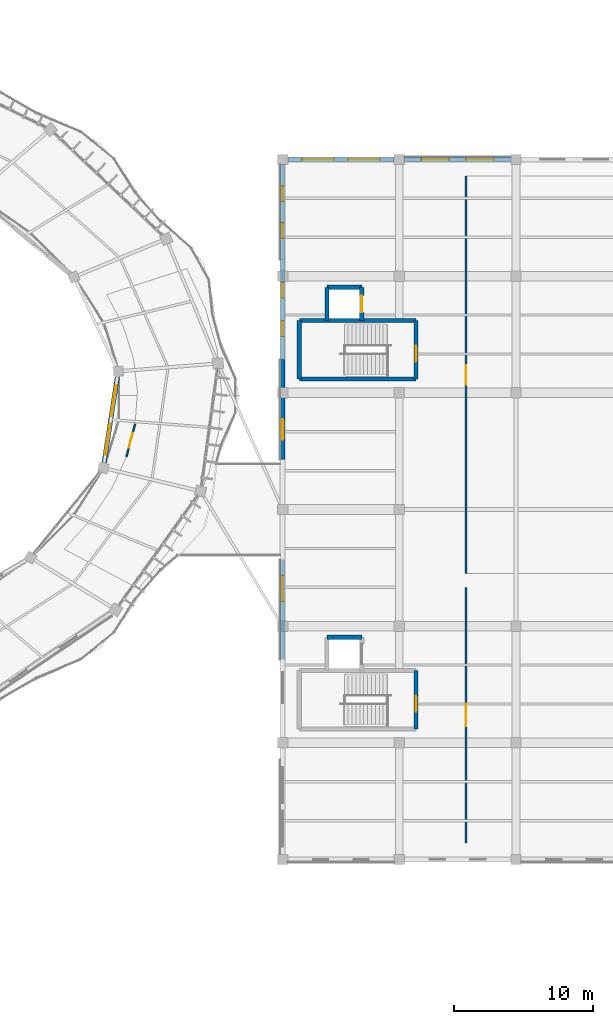
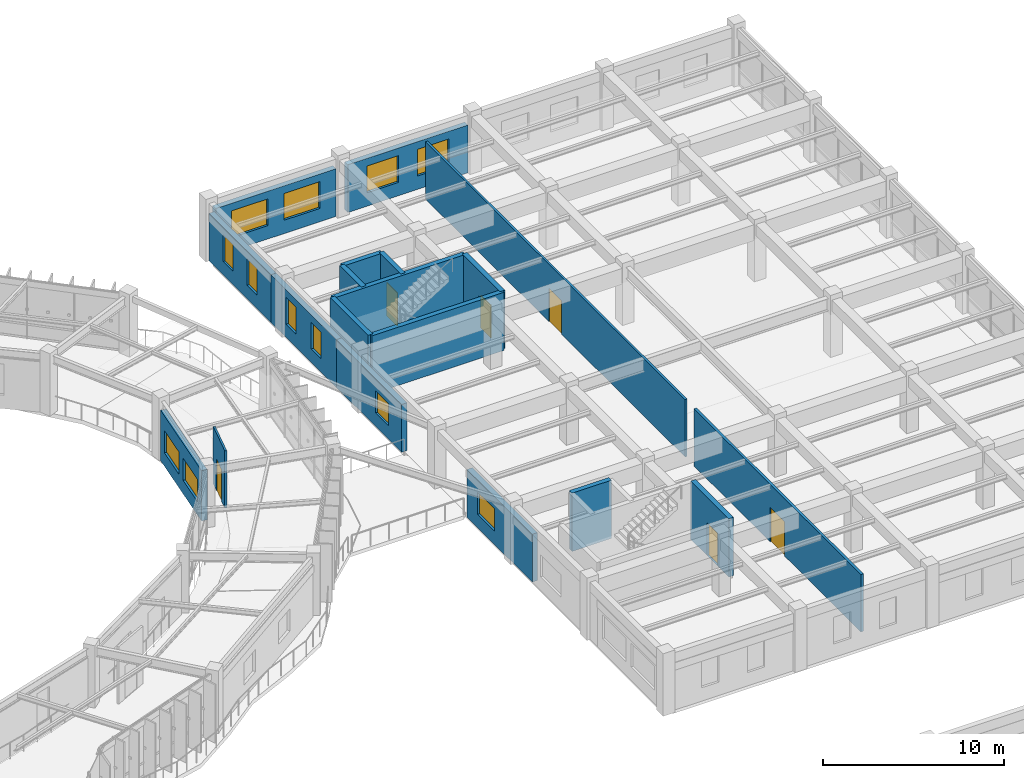
# One storey, part 128 of 152: 19 walls, 12 windows, 6 doors, 18 openings.
"""IFC4 building model written with IfcOpenShell, lengths in metres."""

from ifc_helpers import new_model, si_unit, direction, frame, frame_2d, origin, place, context, subcontext, project, spatial, rectangle, extrude, material, layer, layer_set, type_object, element, fill, save


model = new_model("IFC4")

# Units and contexts
model_context = context("Model", 3, precision=1e-05, world=origin(), true_north=direction((0.0, 1.0)))
body_context = subcontext(model_context, "Body", "Model", "MODEL_VIEW")
ifc_project = project(units=[si_unit("LENGTHUNIT", "METRE"), si_unit("AREAUNIT", "SQUARE_METRE"), si_unit("VOLUMEUNIT", "CUBIC_METRE"), si_unit("PLANEANGLEUNIT", "RADIAN"), si_unit("MASSUNIT", "GRAM", prefix="KILO"), si_unit("THERMODYNAMICTEMPERATUREUNIT", "KELVIN"), si_unit("POWERUNIT", "WATT")], contexts=[model_context])

# Site, building, storey
site_placement = place(None, origin())
site = spatial("IfcSite", under=ifc_project, at=site_placement, CompositionType="ELEMENT")
building_placement = place(site_placement, origin())
building = spatial("IfcBuilding", under=site, at=building_placement, Name="Darbajah Civic Hall", CompositionType="ELEMENT")
storey_placement = place(building_placement, frame((0.0, 0.0, 5.39990234375)))
storey = spatial("IfcBuildingStorey", under=building, at=storey_placement, Name="L01", CompositionType="ELEMENT", Elevation=5.39990234375)

# Wall
ifc_material_1 = material(Name="Concrete C45/55", Category="concrete")
ifc_layer_1 = layer(ifc_material_1, 0.300048828125, Name="Concrete C45/55")
ifc_layer_set_1 = layer_set([ifc_layer_1], Name="Concrete C45/55")
wall_type_1 = type_object("IfcWallType", Name="Core Shear Wall 300mm", PredefinedType="SHEAR", material=ifc_layer_set_1)
wall_1_placement = place(storey_placement, frame((145.800048828125, 91.0, 0.0), z_axis=(0.0, 0.0, 1.0), x_axis=(1.0, 0.0, 0.0)))
element("IfcWall", 1, at=wall_1_placement, inside=storey, type_object=wall_type_1, Name="L01 core C08 shear wall S", PredefinedType="SHEAR", context=body_context, shape_type="SweptSolid", body=[
    extrude(rectangle(XDim=8.39990234375, YDim=0.300048828125, at=frame_2d((4.199951171875, 0.0))), origin(), (0.0, 0.0, 1.0), 3.920166015625),
])

# Wall, opening, door
wall_2_placement = place(storey_placement, frame((154.199951171875, 91.0, 0.0), z_axis=(0.0, 0.0, 1.0), x_axis=(0.0, 1.0, 0.0)))
wall_2 = element("IfcWall", 2, at=wall_2_placement, inside=storey, type_object=wall_type_1, Name="L01 core C08 shear wall E", PredefinedType="SHEAR", context=body_context, shape_type="SweptSolid", body=[
    extrude(rectangle(XDim=4.199951171875, YDim=0.300048828125, at=frame_2d((2.10009765625, 0.0))), origin(), (0.0, 0.0, 1.0), 3.920166015625),
])
opening_1_placement = place(wall_2_placement, frame((1.25, 0.0, 0.0)))
opening_1 = element("IfcOpeningElement", 3, at=opening_1_placement, cuts=wall_2, Name="Opening SD-0090", PredefinedType="OPENING", context=body_context, shape_type="SweptSolid", body=[
    extrude(rectangle(XDim=1.14990234375, YDim=2.199951171875, at=frame_2d((0.574951171875, 1.10009765625))), frame((0.0, 0.159912109375, 0.0), z_axis=(0.0, -1.0, 0.0), x_axis=(1.0, 0.0, 0.0)), (0.0, 0.0, 1.0), 0.320068359375),
])
ifc_material_2 = material(Name="Steel Rated Core Door", Category="steel")
door_type_1 = type_object("IfcDoorType", Name="Interior Door 1150x2200", OperationType="NOTDEFINED", PredefinedType="DOOR", material=ifc_material_2)
door_1_placement = place(opening_1_placement, origin())
door_1 = element("IfcDoor", 4, at=door_1_placement, inside=storey, type_object=door_type_1, Name="L01 stair ST08 fire door SD-0090", OperationType="SINGLE_SWING_LEFT", OverallHeight=2.199951171875, OverallWidth=1.14990234375, PredefinedType="DOOR", context=body_context, shape_type="SweptSolid", body=[
    extrude(rectangle(XDim=1.14990234375, YDim=2.199951171875, at=frame_2d((0.574951171875, 1.10009765625))), frame((0.0, 0.02490234375, 0.0), z_axis=(0.0, -1.0, 0.0), x_axis=(1.0, 0.0, 0.0)), (0.0, 0.0, 1.0), 0.050048828125),
])
fill(opening_1, door_1)

# Walls
wall_3_placement = place(storey_placement, frame((154.199951171875, 95.199951171875, 0.0), z_axis=(0.0, 0.0, 1.0), x_axis=(-1.0, 0.0, 0.0)))
element("IfcWall", 5, at=wall_3_placement, inside=storey, type_object=wall_type_1, Name="L01 core C08 shear wall N", PredefinedType="SHEAR", context=body_context, shape_type="SweptSolid", body=[
    extrude(rectangle(XDim=8.39990234375, YDim=0.300048828125, at=frame_2d((4.199951171875, 0.0))), origin(), (0.0, 0.0, 1.0), 3.920166015625),
])
wall_4_placement = place(storey_placement, frame((145.800048828125, 95.199951171875, 0.0), z_axis=(0.0, 0.0, 1.0), x_axis=(0.0, -1.0, 0.0)))
element("IfcWall", 6, at=wall_4_placement, inside=storey, type_object=wall_type_1, Name="L01 core C08 shear wall W", PredefinedType="SHEAR", context=body_context, shape_type="SweptSolid", body=[
    extrude(rectangle(XDim=4.199951171875, YDim=0.300048828125, at=frame_2d((2.10009765625, 0.0))), origin(), (0.0, 0.0, 1.0), 3.920166015625),
])
wall_5_placement = place(storey_placement, frame((150.300048828125, 97.60009765625, 0.0), z_axis=(0.0, 0.0, 1.0), x_axis=(-1.0, 0.0, 0.0)))
element("IfcWall", 7, at=wall_5_placement, inside=storey, type_object=wall_type_1, Name="L01 lift PL4 shaft wall N", PredefinedType="SHEAR", context=body_context, shape_type="SweptSolid", body=[
    extrude(rectangle(XDim=2.5, YDim=0.300048828125, at=frame_2d((1.25, 0.0))), origin(), (0.0, 0.0, 1.0), 3.920166015625),
])
wall_6_placement = place(storey_placement, frame((147.800048828125, 97.60009765625, 0.0), z_axis=(0.0, 0.0, 1.0), x_axis=(0.0, -1.0, 0.0)))
element("IfcWall", 8, at=wall_6_placement, inside=storey, type_object=wall_type_1, Name="L01 lift PL4 shaft wall W", PredefinedType="SHEAR", context=body_context, shape_type="SweptSolid", body=[
    extrude(rectangle(XDim=2.400146484375, YDim=0.300048828125, at=frame_2d((1.2001953125, 0.0))), origin(), (0.0, 0.0, 1.0), 3.920166015625),
])

# Wall, opening, door
wall_7_placement = place(storey_placement, frame((150.300048828125, 95.199951171875, 0.0), z_axis=(0.0, 0.0, 1.0), x_axis=(0.0, 1.0, 0.0)))
wall_7 = element("IfcWall", 9, at=wall_7_placement, inside=storey, type_object=wall_type_1, Name="L01 lift PL4 shaft wall E", PredefinedType="SHEAR", context=body_context, shape_type="SweptSolid", body=[
    extrude(rectangle(XDim=2.400146484375, YDim=0.300048828125, at=frame_2d((1.2001953125, 0.0))), origin(), (0.0, 0.0, 1.0), 3.920166015625),
])
opening_2_placement = place(wall_7_placement, frame((0.60009765625, 0.0, 0.0)))
opening_2 = element("IfcOpeningElement", 10, at=opening_2_placement, cuts=wall_7, Name="Opening LD-0095", PredefinedType="OPENING", context=body_context, shape_type="SweptSolid", body=[
    extrude(rectangle(XDim=1.199951171875, YDim=2.25, at=frame_2d((0.60009765625, 1.125))), frame((0.0, 0.159912109375, 0.0), z_axis=(0.0, -1.0, 0.0), x_axis=(1.0, 0.0, 0.0)), (0.0, 0.0, 1.0), 0.320068359375),
])
ifc_material_3 = material(Name="Stainless Lift Landing Door")
door_type_2 = type_object("IfcDoorType", Name="Lift Landing Door 1200x2250", OperationType="SLIDING_TO_LEFT", PredefinedType="DOOR", material=ifc_material_3)
door_2_placement = place(opening_2_placement, origin())
door_2 = element("IfcDoor", 11, at=door_2_placement, inside=storey, type_object=door_type_2, Name="L01 lift PL4 landing door LD-0095", OperationType="SLIDING_TO_LEFT", OverallHeight=2.25, OverallWidth=1.199951171875, PredefinedType="DOOR", context=body_context, shape_type="SweptSolid", body=[
    extrude(rectangle(XDim=1.199951171875, YDim=2.25, at=frame_2d((0.60009765625, 1.125))), frame((0.0, 0.02490234375, 0.0), z_axis=(0.0, -1.0, 0.0), x_axis=(1.0, 0.0, 0.0)), (0.0, 0.0, 1.0), 0.050048828125),
])
fill(opening_2, door_2)

wall_8_placement = place(storey_placement, frame((154.199951171875, 65.800048828125, 0.0), z_axis=(0.0, 0.0, 1.0), x_axis=(0.0, 1.0, 0.0)))
wall_8 = element("IfcWall", 12, at=wall_8_placement, inside=storey, type_object=wall_type_1, Name="L01 core C09 shear wall E", PredefinedType="SHEAR", context=body_context, shape_type="SweptSolid", body=[
    extrude(rectangle(XDim=4.199951171875, YDim=0.300048828125, at=frame_2d((2.10009765625, 0.0))), origin(), (0.0, 0.0, 1.0), 3.920166015625),
])
opening_3_placement = place(wall_8_placement, frame((1.25, 0.0, 0.0)))
opening_3 = element("IfcOpeningElement", 13, at=opening_3_placement, cuts=wall_8, Name="Opening SD-0100", PredefinedType="OPENING", context=body_context, shape_type="SweptSolid", body=[
    extrude(rectangle(XDim=1.14990234375, YDim=2.199951171875, at=frame_2d((0.574951171875, 1.10009765625))), frame((0.0, 0.159912109375, 0.0), z_axis=(0.0, -1.0, 0.0), x_axis=(1.0, 0.0, 0.0)), (0.0, 0.0, 1.0), 0.320068359375),
])
door_3_placement = place(opening_3_placement, origin())
door_3 = element("IfcDoor", 14, at=door_3_placement, inside=storey, type_object=door_type_1, Name="L01 stair ST09 fire door SD-0100", OperationType="SINGLE_SWING_LEFT", OverallHeight=2.199951171875, OverallWidth=1.14990234375, PredefinedType="DOOR", context=body_context, shape_type="SweptSolid", body=[
    extrude(rectangle(XDim=1.14990234375, YDim=2.199951171875, at=frame_2d((0.574951171875, 1.10009765625))), frame((0.0, 0.02490234375, 0.0), z_axis=(0.0, -1.0, 0.0), x_axis=(1.0, 0.0, 0.0)), (0.0, 0.0, 1.0), 0.050048828125),
])
fill(opening_3, door_3)

# Wall
wall_9_placement = place(storey_placement, frame((150.300048828125, 72.39990234375, 0.0), z_axis=(0.0, 0.0, 1.0), x_axis=(-1.0, 0.0, 0.0)))
element("IfcWall", 15, at=wall_9_placement, inside=storey, type_object=wall_type_1, Name="L01 lift BL1 shaft wall N", PredefinedType="SHEAR", context=body_context, shape_type="SweptSolid", body=[
    extrude(rectangle(XDim=2.5, YDim=0.300048828125, at=frame_2d((1.25, 0.0))), origin(), (0.0, 0.0, 1.0), 3.920166015625),
])

# Wall, openings, windows
ifc_material_4 = material(Name="Qatari Desert Limestone Ashlar", Category="masonry")
ifc_layer_2 = layer(ifc_material_4, 0.340087890625, Name="Qatari Desert Limestone Ashlar")
ifc_layer_set_2 = layer_set([ifc_layer_2], Name="Qatari Desert Limestone Ashlar")
wall_type_2 = type_object("IfcWallType", Name="Exterior Wall 340mm", PredefinedType="SOLIDWALL", material=ifc_layer_set_2)
wall_10_placement = place(storey_placement, frame((131.747802734375, 84.96923828125, 0.0), z_axis=(0.0, 0.0, 1.0), x_axis=(0.152775024672, 0.988260993785, 0.0)))
wall_10 = element("IfcWall", 16, at=wall_10_placement, inside=storey, type_object=wall_type_2, Name="L01 exterior wall EW-340", PredefinedType="SOLIDWALL", context=body_context, shape_type="SweptSolid", body=[
    extrude(rectangle(XDim=6.235595703125, YDim=0.340087890625, at=frame_2d((3.11767578125, 0.0))), origin(), (0.0, 0.0, 1.0), 3.386962890625),
])
opening_4_placement = place(wall_10_placement, frame((0.57861328125, 0.0, 0.89990234375)))
opening_4 = element("IfcOpeningElement", 17, at=opening_4_placement, cuts=wall_10, Name="Opening WN-27", PredefinedType="OPENING", context=body_context, shape_type="SweptSolid", body=[
    extrude(rectangle(XDim=2.25, YDim=1.5, at=frame_2d((1.125, 0.75))), frame((0.0, 0.179931640625, 0.0), z_axis=(0.0, -1.0, 0.0), x_axis=(1.0, 0.0, 0.0)), (0.0, 0.0, 1.0), 0.360107421875),
])
opening_5_placement = place(wall_10_placement, frame((3.406982421875, 0.0, 0.89990234375)))
opening_5 = element("IfcOpeningElement", 18, at=opening_5_placement, cuts=wall_10, Name="Opening WN-27", PredefinedType="OPENING", context=body_context, shape_type="SweptSolid", body=[
    extrude(rectangle(XDim=2.25, YDim=1.5, at=frame_2d((1.125, 0.75))), frame((0.0, 0.179931640625, 0.0), z_axis=(0.0, -1.0, 0.0), x_axis=(1.0, 0.0, 0.0)), (0.0, 0.0, 1.0), 0.360107421875),
])
ifc_material_5 = material(Name="Low-E Solar Control Double Glazing", Category="glass")
window_type_1 = type_object("IfcWindowType", Name="Facade Window 2250x1500", PartitioningType="DOUBLE_PANEL_VERTICAL", PredefinedType="WINDOW", material=ifc_material_5)
window_1_placement = place(opening_4_placement, origin())
window_1 = element("IfcWindow", 19, at=window_1_placement, inside=storey, type_object=window_type_1, Name="L01 facade window WN-27", OverallHeight=1.5, OverallWidth=2.25, PartitioningType="SINGLE_PANEL", PredefinedType="WINDOW", context=body_context, shape_type="SweptSolid", body=[
    extrude(rectangle(XDim=2.25, YDim=1.5, at=frame_2d((1.125, 0.75))), frame((0.0, 0.030029296875, 0.0), z_axis=(0.0, -1.0, 0.0), x_axis=(1.0, 0.0, 0.0)), (0.0, 0.0, 1.0), 0.06005859375),
])
fill(opening_4, window_1)
window_2_placement = place(opening_5_placement, origin())
window_2 = element("IfcWindow", 20, at=window_2_placement, inside=storey, type_object=window_type_1, Name="L01 facade window WN-27", OverallHeight=1.5, OverallWidth=2.25, PartitioningType="SINGLE_PANEL", PredefinedType="WINDOW", context=body_context, shape_type="SweptSolid", body=[
    extrude(rectangle(XDim=2.25, YDim=1.5, at=frame_2d((1.125, 0.75))), frame((0.0, 0.030029296875, 0.0), z_axis=(0.0, -1.0, 0.0), x_axis=(1.0, 0.0, 0.0)), (0.0, 0.0, 1.0), 0.06005859375),
])
fill(opening_5, window_2)

wall_11_placement = place(storey_placement, frame((161.02294921875, 106.800048828125, 0.0), z_axis=(0.0, 0.0, 1.0), x_axis=(-1.0, 0.0, 0.0)))
wall_11 = element("IfcWall", 21, at=wall_11_placement, inside=storey, type_object=wall_type_2, Name="L01 exterior wall EW-340", PredefinedType="SOLIDWALL", context=body_context, shape_type="SweptSolid", body=[
    extrude(rectangle(XDim=7.64599609375, YDim=0.340087890625, at=frame_2d((3.822998046875, 0.0))), origin(), (0.0, 0.0, 1.0), 3.210205078125),
])
opening_6_placement = place(wall_11_placement, frame((1.21533203125, 0.0, 0.89990234375)))
opening_6 = element("IfcOpeningElement", 22, at=opening_6_placement, cuts=wall_11, Name="Opening WN-21", PredefinedType="OPENING", context=body_context, shape_type="SweptSolid", body=[
    extrude(rectangle(XDim=2.0, YDim=1.800048828125, at=frame_2d((1.0, 0.89990234375))), frame((0.0, 0.179931640625, 0.0), z_axis=(0.0, -1.0, 0.0), x_axis=(1.0, 0.0, 0.0)), (0.0, 0.0, 1.0), 0.360107421875),
])
opening_7_placement = place(wall_11_placement, frame((4.4306640625, 0.0, 0.89990234375)))
opening_7 = element("IfcOpeningElement", 23, at=opening_7_placement, cuts=wall_11, Name="Opening WN-21", PredefinedType="OPENING", context=body_context, shape_type="SweptSolid", body=[
    extrude(rectangle(XDim=2.0, YDim=1.800048828125, at=frame_2d((1.0, 0.89990234375))), frame((0.0, 0.179931640625, 0.0), z_axis=(0.0, -1.0, 0.0), x_axis=(1.0, 0.0, 0.0)), (0.0, 0.0, 1.0), 0.360107421875),
])
window_type_2 = type_object("IfcWindowType", Name="Facade Window 2000x1800", PartitioningType="DOUBLE_PANEL_VERTICAL", PredefinedType="WINDOW", material=ifc_material_5)
window_3_placement = place(opening_6_placement, origin())
window_3 = element("IfcWindow", 24, at=window_3_placement, inside=storey, type_object=window_type_2, Name="L01 facade window WN-21", OverallHeight=1.800048828125, OverallWidth=2.0, PartitioningType="SINGLE_PANEL", PredefinedType="WINDOW", context=body_context, shape_type="SweptSolid", body=[
    extrude(rectangle(XDim=2.0, YDim=1.800048828125, at=frame_2d((1.0, 0.89990234375))), frame((0.0, 0.030029296875, 0.0), z_axis=(0.0, -1.0, 0.0), x_axis=(1.0, 0.0, 0.0)), (0.0, 0.0, 1.0), 0.06005859375),
])
fill(opening_6, window_3)
window_4_placement = place(opening_7_placement, origin())
window_4 = element("IfcWindow", 25, at=window_4_placement, inside=storey, type_object=window_type_2, Name="L01 facade window WN-21", OverallHeight=1.800048828125, OverallWidth=2.0, PartitioningType="SINGLE_PANEL", PredefinedType="WINDOW", context=body_context, shape_type="SweptSolid", body=[
    extrude(rectangle(XDim=2.0, YDim=1.800048828125, at=frame_2d((1.0, 0.89990234375))), frame((0.0, 0.030029296875, 0.0), z_axis=(0.0, -1.0, 0.0), x_axis=(1.0, 0.0, 0.0)), (0.0, 0.0, 1.0), 0.06005859375),
])
fill(opening_7, window_4)

wall_12_placement = place(storey_placement, frame((152.623046875, 106.800048828125, 0.0), z_axis=(0.0, 0.0, 1.0), x_axis=(-1.0, 0.0, 0.0)))
wall_12 = element("IfcWall", 26, at=wall_12_placement, inside=storey, type_object=wall_type_2, Name="L01 exterior wall EW-340", PredefinedType="SOLIDWALL", context=body_context, shape_type="SweptSolid", body=[
    extrude(rectangle(XDim=7.64599609375, YDim=0.340087890625, at=frame_2d((3.822998046875, 0.0))), origin(), (0.0, 0.0, 1.0), 3.210205078125),
])
opening_8_placement = place(wall_12_placement, frame((1.015380859375, 0.0, 0.89990234375)))
opening_8 = element("IfcOpeningElement", 27, at=opening_8_placement, cuts=wall_12, Name="Opening WN-22", PredefinedType="OPENING", context=body_context, shape_type="SweptSolid", body=[
    extrude(rectangle(XDim=2.300048828125, YDim=1.800048828125, at=frame_2d((1.14990234375, 0.89990234375))), frame((0.0, 0.179931640625, 0.0), z_axis=(0.0, -1.0, 0.0), x_axis=(1.0, 0.0, 0.0)), (0.0, 0.0, 1.0), 0.360107421875),
])
opening_9_placement = place(wall_12_placement, frame((4.330810546875, 0.0, 0.89990234375)))
opening_9 = element("IfcOpeningElement", 28, at=opening_9_placement, cuts=wall_12, Name="Opening WN-22", PredefinedType="OPENING", context=body_context, shape_type="SweptSolid", body=[
    extrude(rectangle(XDim=2.300048828125, YDim=1.800048828125, at=frame_2d((1.14990234375, 0.89990234375))), frame((0.0, 0.179931640625, 0.0), z_axis=(0.0, -1.0, 0.0), x_axis=(1.0, 0.0, 0.0)), (0.0, 0.0, 1.0), 0.360107421875),
])
window_type_3 = type_object("IfcWindowType", Name="Facade Window 2300x1800", PartitioningType="DOUBLE_PANEL_VERTICAL", PredefinedType="WINDOW", material=ifc_material_5)
window_5_placement = place(opening_8_placement, origin())
window_5 = element("IfcWindow", 29, at=window_5_placement, inside=storey, type_object=window_type_3, Name="L01 facade window WN-22", OverallHeight=1.800048828125, OverallWidth=2.300048828125, PartitioningType="SINGLE_PANEL", PredefinedType="WINDOW", context=body_context, shape_type="SweptSolid", body=[
    extrude(rectangle(XDim=2.300048828125, YDim=1.800048828125, at=frame_2d((1.14990234375, 0.89990234375))), frame((0.0, 0.030029296875, 0.0), z_axis=(0.0, -1.0, 0.0), x_axis=(1.0, 0.0, 0.0)), (0.0, 0.0, 1.0), 0.06005859375),
])
fill(opening_8, window_5)
window_6_placement = place(opening_9_placement, origin())
window_6 = element("IfcWindow", 30, at=window_6_placement, inside=storey, type_object=window_type_3, Name="L01 facade window WN-22", OverallHeight=1.800048828125, OverallWidth=2.300048828125, PartitioningType="SINGLE_PANEL", PredefinedType="WINDOW", context=body_context, shape_type="SweptSolid", body=[
    extrude(rectangle(XDim=2.300048828125, YDim=1.800048828125, at=frame_2d((1.14990234375, 0.89990234375))), frame((0.0, 0.030029296875, 0.0), z_axis=(0.0, -1.0, 0.0), x_axis=(1.0, 0.0, 0.0)), (0.0, 0.0, 1.0), 0.06005859375),
])
fill(opening_9, window_6)

wall_13_placement = place(storey_placement, frame((144.60009765625, 106.423095703125, 0.0), z_axis=(0.0, 0.0, 1.0), x_axis=(0.0, -1.0, 0.0)))
wall_13 = element("IfcWall", 31, at=wall_13_placement, inside=storey, type_object=wall_type_2, Name="L01 exterior wall EW-340", PredefinedType="SOLIDWALL", context=body_context, shape_type="SweptSolid", body=[
    extrude(rectangle(XDim=6.822998046875, YDim=0.340087890625, at=frame_2d((3.41162109375, 0.0))), origin(), (0.0, 0.0, 1.0), 3.210205078125),
])
opening_10_placement = place(wall_13_placement, frame((1.541015625, 0.0, 0.89990234375)))
opening_10 = element("IfcOpeningElement", 32, at=opening_10_placement, cuts=wall_13, Name="Opening WN-17", PredefinedType="OPENING", context=body_context, shape_type="SweptSolid", body=[
    extrude(rectangle(XDim=1.10009765625, YDim=1.800048828125, at=frame_2d((0.550048828125, 0.89990234375))), frame((0.0, 0.179931640625, 0.0), z_axis=(0.0, -1.0, 0.0), x_axis=(1.0, 0.0, 0.0)), (0.0, 0.0, 1.0), 0.360107421875),
])
opening_11_placement = place(wall_13_placement, frame((4.181884765625, 0.0, 0.89990234375)))
opening_11 = element("IfcOpeningElement", 33, at=opening_11_placement, cuts=wall_13, Name="Opening WN-17", PredefinedType="OPENING", context=body_context, shape_type="SweptSolid", body=[
    extrude(rectangle(XDim=1.10009765625, YDim=1.800048828125, at=frame_2d((0.550048828125, 0.89990234375))), frame((0.0, 0.179931640625, 0.0), z_axis=(0.0, -1.0, 0.0), x_axis=(1.0, 0.0, 0.0)), (0.0, 0.0, 1.0), 0.360107421875),
])
window_type_4 = type_object("IfcWindowType", Name="Facade Window 1100x1800", PartitioningType="SINGLE_PANEL", PredefinedType="WINDOW", material=ifc_material_5)
window_7_placement = place(opening_10_placement, origin())
window_7 = element("IfcWindow", 34, at=window_7_placement, inside=storey, type_object=window_type_4, Name="L01 facade window WN-17", OverallHeight=1.800048828125, OverallWidth=1.10009765625, PartitioningType="SINGLE_PANEL", PredefinedType="WINDOW", context=body_context, shape_type="SweptSolid", body=[
    extrude(rectangle(XDim=1.10009765625, YDim=1.800048828125, at=frame_2d((0.550048828125, 0.89990234375))), frame((0.0, 0.030029296875, 0.0), z_axis=(0.0, -1.0, 0.0), x_axis=(1.0, 0.0, 0.0)), (0.0, 0.0, 1.0), 0.06005859375),
])
fill(opening_10, window_7)
window_8_placement = place(opening_11_placement, origin())
window_8 = element("IfcWindow", 35, at=window_8_placement, inside=storey, type_object=window_type_4, Name="L01 facade window WN-17", OverallHeight=1.800048828125, OverallWidth=1.10009765625, PartitioningType="SINGLE_PANEL", PredefinedType="WINDOW", context=body_context, shape_type="SweptSolid", body=[
    extrude(rectangle(XDim=1.10009765625, YDim=1.800048828125, at=frame_2d((0.550048828125, 0.89990234375))), frame((0.0, 0.030029296875, 0.0), z_axis=(0.0, -1.0, 0.0), x_axis=(1.0, 0.0, 0.0)), (0.0, 0.0, 1.0), 0.06005859375),
])
fill(opening_11, window_8)

wall_14_placement = place(storey_placement, frame((144.60009765625, 99.60009765625, 0.0), z_axis=(0.0, 0.0, 1.0), x_axis=(0.0, -1.0, 0.0)))
wall_14 = element("IfcWall", 36, at=wall_14_placement, inside=storey, type_object=wall_type_2, Name="L01 exterior wall EW-340", PredefinedType="SOLIDWALL", context=body_context, shape_type="SweptSolid", body=[
    extrude(rectangle(XDim=7.2001953125, YDim=0.340087890625, at=frame_2d((3.60009765625, 0.0))), origin(), (0.0, 0.0, 1.0), 3.210205078125),
])
opening_12_placement = place(wall_14_placement, frame((1.666748046875, 0.0, 0.89990234375)))
opening_12 = element("IfcOpeningElement", 37, at=opening_12_placement, cuts=wall_14, Name="Opening WN-17", PredefinedType="OPENING", context=body_context, shape_type="SweptSolid", body=[
    extrude(rectangle(XDim=1.10009765625, YDim=1.800048828125, at=frame_2d((0.550048828125, 0.89990234375))), frame((0.0, 0.179931640625, 0.0), z_axis=(0.0, -1.0, 0.0), x_axis=(1.0, 0.0, 0.0)), (0.0, 0.0, 1.0), 0.360107421875),
])
opening_13_placement = place(wall_14_placement, frame((4.433349609375, 0.0, 0.89990234375)))
opening_13 = element("IfcOpeningElement", 38, at=opening_13_placement, cuts=wall_14, Name="Opening WN-17", PredefinedType="OPENING", context=body_context, shape_type="SweptSolid", body=[
    extrude(rectangle(XDim=1.10009765625, YDim=1.800048828125, at=frame_2d((0.550048828125, 0.89990234375))), frame((0.0, 0.179931640625, 0.0), z_axis=(0.0, -1.0, 0.0), x_axis=(1.0, 0.0, 0.0)), (0.0, 0.0, 1.0), 0.360107421875),
])
window_9_placement = place(opening_12_placement, origin())
window_9 = element("IfcWindow", 39, at=window_9_placement, inside=storey, type_object=window_type_4, Name="L01 facade window WN-17", OverallHeight=1.800048828125, OverallWidth=1.10009765625, PartitioningType="SINGLE_PANEL", PredefinedType="WINDOW", context=body_context, shape_type="SweptSolid", body=[
    extrude(rectangle(XDim=1.10009765625, YDim=1.800048828125, at=frame_2d((0.550048828125, 0.89990234375))), frame((0.0, 0.030029296875, 0.0), z_axis=(0.0, -1.0, 0.0), x_axis=(1.0, 0.0, 0.0)), (0.0, 0.0, 1.0), 0.06005859375),
])
fill(opening_12, window_9)
window_10_placement = place(opening_13_placement, origin())
window_10 = element("IfcWindow", 40, at=window_10_placement, inside=storey, type_object=window_type_4, Name="L01 facade window WN-17", OverallHeight=1.800048828125, OverallWidth=1.10009765625, PartitioningType="SINGLE_PANEL", PredefinedType="WINDOW", context=body_context, shape_type="SweptSolid", body=[
    extrude(rectangle(XDim=1.10009765625, YDim=1.800048828125, at=frame_2d((0.550048828125, 0.89990234375))), frame((0.0, 0.030029296875, 0.0), z_axis=(0.0, -1.0, 0.0), x_axis=(1.0, 0.0, 0.0)), (0.0, 0.0, 1.0), 0.06005859375),
])
fill(opening_13, window_10)

# Wall, opening, window
wall_15_placement = place(storey_placement, frame((144.60009765625, 92.39990234375, 0.0), z_axis=(0.0, 0.0, 1.0), x_axis=(0.0, -1.0, 0.0)))
wall_15 = element("IfcWall", 41, at=wall_15_placement, inside=storey, type_object=wall_type_2, Name="L01 exterior wall EW-340", PredefinedType="SOLIDWALL", context=body_context, shape_type="SweptSolid", body=[
    extrude(rectangle(XDim=7.199951171875, YDim=0.340087890625, at=frame_2d((3.60009765625, 0.0))), origin(), (0.0, 0.0, 1.0), 3.210205078125),
])
opening_14_placement = place(wall_15_placement, frame((4.316650390625, 0.0, 0.89990234375)))
opening_14 = element("IfcOpeningElement", 42, at=opening_14_placement, cuts=wall_15, Name="Opening WN-25", PredefinedType="OPENING", context=body_context, shape_type="SweptSolid", body=[
    extrude(rectangle(XDim=1.449951171875, YDim=1.5, at=frame_2d((0.72509765625, 0.75))), frame((0.0, 0.179931640625, 0.0), z_axis=(0.0, -1.0, 0.0), x_axis=(1.0, 0.0, 0.0)), (0.0, 0.0, 1.0), 0.360107421875),
])
window_type_5 = type_object("IfcWindowType", Name="Facade Window 1450x1500", PartitioningType="SINGLE_PANEL", PredefinedType="WINDOW", material=ifc_material_5)
window_11_placement = place(opening_14_placement, origin())
window_11 = element("IfcWindow", 43, at=window_11_placement, inside=storey, type_object=window_type_5, Name="L01 facade window WN-25", OverallHeight=1.5, OverallWidth=1.449951171875, PartitioningType="SINGLE_PANEL", PredefinedType="WINDOW", context=body_context, shape_type="SweptSolid", body=[
    extrude(rectangle(XDim=1.449951171875, YDim=1.5, at=frame_2d((0.72509765625, 0.75))), frame((0.0, 0.030029296875, 0.0), z_axis=(0.0, -1.0, 0.0), x_axis=(1.0, 0.0, 0.0)), (0.0, 0.0, 1.0), 0.06005859375),
])
fill(opening_14, window_11)

wall_16_placement = place(storey_placement, frame((144.60009765625, 78.0, 0.0), z_axis=(0.0, 0.0, 1.0), x_axis=(0.0, -1.0, 0.0)))
wall_16 = element("IfcWall", 44, at=wall_16_placement, inside=storey, type_object=wall_type_2, Name="L01 exterior wall EW-340", PredefinedType="SOLIDWALL", context=body_context, shape_type="SweptSolid", body=[
    extrude(rectangle(XDim=7.199951171875, YDim=0.340087890625, at=frame_2d((3.60009765625, 0.0))), origin(), (0.0, 0.0, 1.0), 3.210205078125),
])
opening_15_placement = place(wall_16_placement, frame((1.166748046875, 0.0, 0.89990234375)))
opening_15 = element("IfcOpeningElement", 45, at=opening_15_placement, cuts=wall_16, Name="Opening WN-26", PredefinedType="OPENING", context=body_context, shape_type="SweptSolid", body=[
    extrude(rectangle(XDim=1.85009765625, YDim=1.5, at=frame_2d((0.925048828125, 0.75))), frame((0.0, 0.179931640625, 0.0), z_axis=(0.0, -1.0, 0.0), x_axis=(1.0, 0.0, 0.0)), (0.0, 0.0, 1.0), 0.360107421875),
])
window_type_6 = type_object("IfcWindowType", Name="Facade Window 1850x1500", PartitioningType="DOUBLE_PANEL_VERTICAL", PredefinedType="WINDOW", material=ifc_material_5)
window_12_placement = place(opening_15_placement, origin())
window_12 = element("IfcWindow", 46, at=window_12_placement, inside=storey, type_object=window_type_6, Name="L01 facade window WN-26", OverallHeight=1.5, OverallWidth=1.85009765625, PartitioningType="SINGLE_PANEL", PredefinedType="WINDOW", context=body_context, shape_type="SweptSolid", body=[
    extrude(rectangle(XDim=1.85009765625, YDim=1.5, at=frame_2d((0.925048828125, 0.75))), frame((0.0, 0.030029296875, 0.0), z_axis=(0.0, -1.0, 0.0), x_axis=(1.0, 0.0, 0.0)), (0.0, 0.0, 1.0), 0.06005859375),
])
fill(opening_15, window_12)

# Wall, opening, door
ifc_material_6 = material(Name="Acoustic Gypsum Partition")
ifc_layer_3 = layer(ifc_material_6, 0.114990234375, Name="Acoustic Gypsum Partition")
ifc_layer_set_3 = layer_set([ifc_layer_3], Name="Acoustic Gypsum Partition")
wall_type_3 = type_object("IfcWallType", Name="Interior Partition 115mm", PredefinedType="PARTITIONING", material=ifc_layer_set_3)
wall_17_placement = place(storey_placement, frame((133.978515625, 87.74755859375, 0.0), z_axis=(0.0, 0.0, 1.0), x_axis=(-0.255778898316, -0.966735307712, 0.0)))
wall_17 = element("IfcWall", 47, at=wall_17_placement, inside=storey, type_object=wall_type_3, Name="L01 interior partition L01-V1-02", PredefinedType="PARTITIONING", context=body_context, shape_type="SweptSolid", body=[
    extrude(rectangle(XDim=2.420654296875, YDim=0.114990234375, at=frame_2d((1.21044921875, 0.0))), origin(), (0.0, 0.0, 1.0), 3.860107421875),
])
opening_16_placement = place(wall_17_placement, frame((0.660400390625, 0.0, 0.0)))
opening_16 = element("IfcOpeningElement", 48, at=opening_16_placement, cuts=wall_17, Name="Opening D-0175", PredefinedType="OPENING", context=body_context, shape_type="SweptSolid", body=[
    extrude(rectangle(XDim=1.10009765625, YDim=2.14990234375, at=frame_2d((0.550048828125, 1.074951171875))), frame((0.0, 0.0673828125, 0.0), z_axis=(0.0, -1.0, 0.0), x_axis=(1.0, 0.0, 0.0)), (0.0, 0.0, 1.0), 0.135009765625),
])
ifc_material_7 = material(Name="Acoustic Oak Office Door")
door_type_3 = type_object("IfcDoorType", Name="Interior Door 1100x2150", OperationType="NOTDEFINED", PredefinedType="DOOR", material=ifc_material_7)
door_4_placement = place(opening_16_placement, origin())
door_4 = element("IfcDoor", 49, at=door_4_placement, inside=storey, type_object=door_type_3, Name="L01 L01-V1-02 door D-0175", OperationType="SINGLE_SWING_RIGHT", OverallHeight=2.14990234375, OverallWidth=1.10009765625, PredefinedType="DOOR", context=body_context, shape_type="SweptSolid", body=[
    extrude(rectangle(XDim=1.10009765625, YDim=2.14990234375, at=frame_2d((0.550048828125, 1.074951171875))), frame((0.0, 0.02490234375, 0.0), z_axis=(0.0, -1.0, 0.0), x_axis=(1.0, 0.0, 0.0)), (0.0, 0.0, 1.0), 0.050048828125),
])
fill(opening_16, door_4)

ifc_material_8 = material(Name="Gypsum Plasterboard on Steel Stud", Category="steel")
ifc_layer_4 = layer(ifc_material_8, 0.135009765625, Name="Gypsum Plasterboard on Steel Stud")
ifc_layer_set_4 = layer_set([ifc_layer_4], Name="Gypsum Plasterboard on Steel Stud")
wall_type_4 = type_object("IfcWallType", Name="Interior Partition 135mm", PredefinedType="PARTITIONING", material=ifc_layer_set_4)
wall_18_placement = place(storey_placement, frame((157.800048828125, 77.0, 0.0), z_axis=(0.0, 0.0, 1.0), x_axis=(0.0, 1.0, 0.0)))
wall_18 = element("IfcWall", 50, at=wall_18_placement, inside=storey, type_object=wall_type_4, Name="L01 interior partition L01-V4-02", PredefinedType="PARTITIONING", context=body_context, shape_type="SweptSolid", body=[
    extrude(rectangle(XDim=28.60009765625, YDim=0.135009765625, at=frame_2d((14.300048828125, 0.0))), origin(), (0.0, 0.0, 1.0), 3.860107421875),
])
opening_17_placement = place(wall_18_placement, frame((13.60009765625, 0.0, 0.0)))
opening_17 = element("IfcOpeningElement", 51, at=opening_17_placement, cuts=wall_18, Name="Opening D-0189", PredefinedType="OPENING", context=body_context, shape_type="SweptSolid", body=[
    extrude(rectangle(XDim=1.39990234375, YDim=2.25, at=frame_2d((0.699951171875, 1.125))), frame((0.0, 0.077392578125, 0.0), z_axis=(0.0, -1.0, 0.0), x_axis=(1.0, 0.0, 0.0)), (0.0, 0.0, 1.0), 0.155029296875),
])
ifc_material_9 = material(Name="Painted Hardwood Fire Door", Category="wood")
door_type_4 = type_object("IfcDoorType", Name="Interior Door 1400x2250", OperationType="NOTDEFINED", PredefinedType="DOOR", material=ifc_material_9)
door_5_placement = place(opening_17_placement, origin())
door_5 = element("IfcDoor", 52, at=door_5_placement, inside=storey, type_object=door_type_4, Name="L01 L01-V4-02 door D-0189", OperationType="SINGLE_SWING_RIGHT", OverallHeight=2.25, OverallWidth=1.39990234375, PredefinedType="DOOR", context=body_context, shape_type="SweptSolid", body=[
    extrude(rectangle(XDim=1.39990234375, YDim=2.25, at=frame_2d((0.699951171875, 1.125))), frame((0.0, 0.02490234375, 0.0), z_axis=(0.0, -1.0, 0.0), x_axis=(1.0, 0.0, 0.0)), (0.0, 0.0, 1.0), 0.050048828125),
])
fill(opening_17, door_5)

ifc_layer_5 = layer(ifc_material_8, 0.159912109375, Name="Gypsum Plasterboard on Steel Stud")
ifc_layer_set_5 = layer_set([ifc_layer_5], Name="Gypsum Plasterboard on Steel Stud")
wall_type_5 = type_object("IfcWallType", Name="Interior Partition 160mm", PredefinedType="PARTITIONING", material=ifc_layer_set_5)
wall_19_placement = place(storey_placement, frame((157.800048828125, 57.60009765625, 0.0), z_axis=(0.0, 0.0, 1.0), x_axis=(0.0, 1.0, 0.0)))
wall_19 = element("IfcWall", 53, at=wall_19_placement, inside=storey, type_object=wall_type_5, Name="L01 interior partition L01-V4-01", PredefinedType="PARTITIONING", context=body_context, shape_type="SweptSolid", body=[
    extrude(rectangle(XDim=18.39990234375, YDim=0.159912109375, at=frame_2d((9.199951171875, 0.0))), origin(), (0.0, 0.0, 1.0), 3.860107421875),
])
opening_18_placement = place(wall_19_placement, frame((8.39990234375, 0.0, 0.0)))
opening_18 = element("IfcOpeningElement", 54, at=opening_18_placement, cuts=wall_19, Name="Opening D-0188", PredefinedType="OPENING", context=body_context, shape_type="SweptSolid", body=[
    extrude(rectangle(XDim=1.60009765625, YDim=2.300048828125, at=frame_2d((0.800048828125, 1.14990234375))), frame((0.0, 0.08984375, 0.0), z_axis=(0.0, -1.0, 0.0), x_axis=(1.0, 0.0, 0.0)), (0.0, 0.0, 1.0), 0.179931640625),
])
door_type_5 = type_object("IfcDoorType", Name="Interior Door 1600x2300", OperationType="NOTDEFINED", PredefinedType="DOOR", material=ifc_material_9)
door_6_placement = place(opening_18_placement, origin())
door_6 = element("IfcDoor", 55, at=door_6_placement, inside=storey, type_object=door_type_5, Name="L01 L01-V4-01 door D-0188", OperationType="DOUBLE_DOOR_SINGLE_SWING", OverallHeight=2.300048828125, OverallWidth=1.60009765625, PredefinedType="DOOR", context=body_context, shape_type="SweptSolid", body=[
    extrude(rectangle(XDim=1.60009765625, YDim=2.300048828125, at=frame_2d((0.800048828125, 1.14990234375))), frame((0.0, 0.02490234375, 0.0), z_axis=(0.0, -1.0, 0.0), x_axis=(1.0, 0.0, 0.0)), (0.0, 0.0, 1.0), 0.050048828125),
])
fill(opening_18, door_6)

save(model, "model.ifc")
